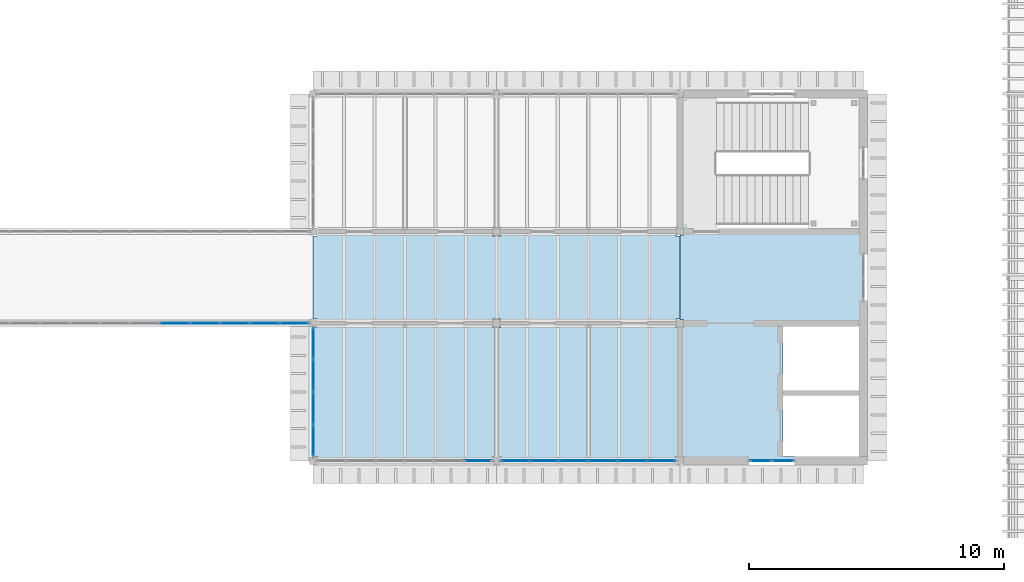
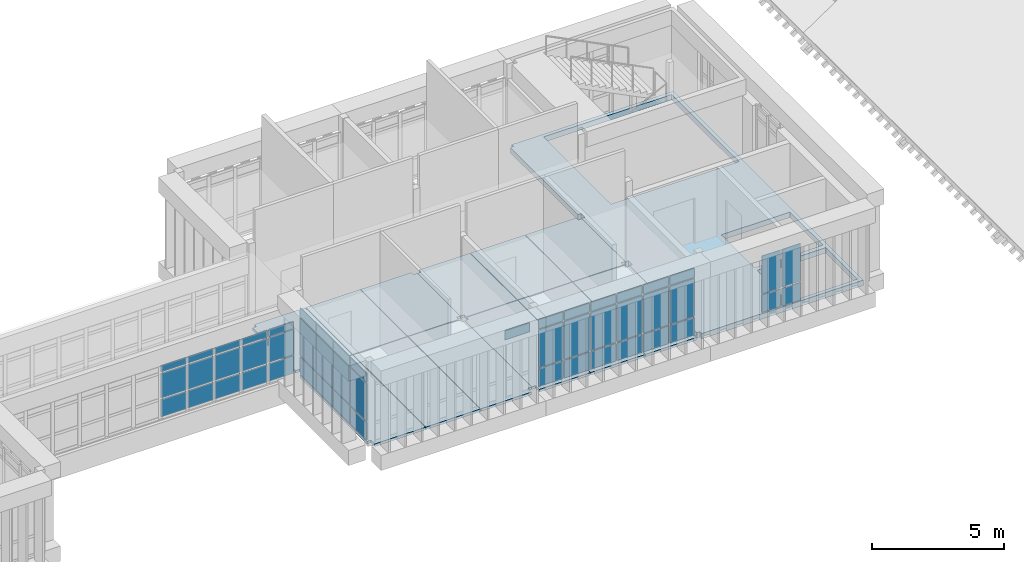
# One storey, part 26 of 51: 50 plates, 13 slabs, 5 elements without a shape of their own.
"""IFC4 building model written with IfcOpenShell, lengths in metres."""

from ifc_helpers import new_model, si_unit, direction, frame, origin, origin_2d, place, context, subcontext, project, spatial, polyline, rectangle, outline, extrude, material, layer, layer_set, type_object, element, aggregate, save


model = new_model("IFC4")

# Units and contexts
model_context = context("Model", 3, precision=1e-05, world=origin(), true_north=direction((0.0, 1.0)))
body_context = subcontext(model_context, "Body", "Model", "MODEL_VIEW")
ifc_project = project(units=[si_unit("LENGTHUNIT", "METRE"), si_unit("AREAUNIT", "SQUARE_METRE"), si_unit("VOLUMEUNIT", "CUBIC_METRE"), si_unit("PLANEANGLEUNIT", "RADIAN"), si_unit("MASSUNIT", "GRAM", prefix="KILO")], contexts=[model_context])

# Site, building, storey
site_placement = place(None, origin())
site = spatial("IfcSite", under=ifc_project, at=site_placement, CompositionType="ELEMENT")
building_placement = place(site_placement, origin())
building = spatial("IfcBuilding", under=site, at=building_placement, Name="Mazhai Court Health Centre", CompositionType="ELEMENT")
storey_placement = place(building_placement, frame((0.0, 0.0, 14.10009765625)))
storey = spatial("IfcBuildingStorey", under=building, at=storey_placement, Name="L03", CompositionType="ELEMENT", Elevation=14.10009765625)

# Slabs
ifc_material_1 = material(Name="CLT C24 5-ply", Category="wood")
ifc_layer_1 = layer(ifc_material_1, 0.1201171875)
ifc_layer_set_1 = layer_set([ifc_layer_1], Name="CLT C24 5-ply 120 floor panel")
slab_type_1 = type_object("IfcSlabType", Name="CLT C24 5-ply 120 floor panel", PredefinedType="FLOOR", material=ifc_layer_set_1)
slab_1_placement = place(storey_placement, frame((0.0, 0.0, -0.1201171875)))
element("IfcSlab", 1, at=slab_1_placement, inside=storey, type_object=slab_type_1, Name="slab-V4-L03-b5-A0", PredefinedType="FLOOR", context=body_context, shape_type="SweptSolid", body=[
    extrude(outline(polyline([(109.389892578125, 18.7900390625), (107.169921875, 18.7900390625), (107.169921875, 18.6298828125), (107.0, 18.6298828125), (107.0, 13.570068359375), (107.169921875, 13.570068359375), (107.169921875, 13.280029296875), (109.389892578125, 13.280029296875), (109.389892578125, 18.7900390625)])), origin(), (0.0, 0.0, 1.0), 0.1201171875),
])
slab_2_placement = place(storey_placement, frame((0.0, 0.0, -0.1201171875)))
element("IfcSlab", 2, at=slab_2_placement, inside=storey, type_object=slab_type_1, Name="slab-V4-L03-b5-A1", PredefinedType="FLOOR", context=body_context, shape_type="SweptSolid", body=[
    extrude(outline(polyline([(109.409912109375, 13.280029296875), (111.7900390625, 13.280029296875), (111.7900390625, 18.7900390625), (109.409912109375, 18.7900390625), (109.409912109375, 13.280029296875)])), origin(), (0.0, 0.0, 1.0), 0.1201171875),
])
slab_3_placement = place(storey_placement, frame((0.0, 0.0, -0.1201171875)))
element("IfcSlab", 3, at=slab_3_placement, inside=storey, type_object=slab_type_1, Name="slab-V4-L03-b5-A2", PredefinedType="FLOOR", context=body_context, shape_type="SweptSolid", body=[
    extrude(outline(polyline([(114.199951171875, 13.570068359375), (114.199951171875, 18.6298828125), (114.030029296875, 18.6298828125), (114.030029296875, 18.7900390625), (111.81005859375, 18.7900390625), (111.81005859375, 13.280029296875), (114.030029296875, 13.280029296875), (114.030029296875, 13.570068359375), (114.199951171875, 13.570068359375)])), origin(), (0.0, 0.0, 1.0), 0.1201171875),
])
slab_4_placement = place(storey_placement, frame((0.0, 0.0, -0.1201171875)))
element("IfcSlab", 4, at=slab_4_placement, inside=storey, type_object=slab_type_1, Name="slab-V4-L03-b5-C0", PredefinedType="FLOOR", context=body_context, shape_type="SweptSolid", body=[
    extrude(outline(polyline([(109.389892578125, 22.389892578125), (107.169921875, 22.389892578125), (107.169921875, 22.22998046875), (107.0, 22.22998046875), (107.0, 18.969970703125), (107.169921875, 18.969970703125), (107.169921875, 18.81005859375), (109.389892578125, 18.81005859375), (109.389892578125, 22.389892578125)])), origin(), (0.0, 0.0, 1.0), 0.1201171875),
])
slab_5_placement = place(storey_placement, frame((0.0, 0.0, -0.1201171875)))
element("IfcSlab", 5, at=slab_5_placement, inside=storey, type_object=slab_type_1, Name="slab-V4-L03-b5-C1", PredefinedType="FLOOR", context=body_context, shape_type="SweptSolid", body=[
    extrude(outline(polyline([(109.409912109375, 18.81005859375), (111.7900390625, 18.81005859375), (111.7900390625, 22.389892578125), (109.409912109375, 22.389892578125), (109.409912109375, 18.81005859375)])), origin(), (0.0, 0.0, 1.0), 0.1201171875),
])
slab_6_placement = place(storey_placement, frame((0.0, 0.0, -0.1201171875)))
element("IfcSlab", 6, at=slab_6_placement, inside=storey, type_object=slab_type_1, Name="slab-V4-L03-b5-C2", PredefinedType="FLOOR", context=body_context, shape_type="SweptSolid", body=[
    extrude(outline(polyline([(114.199951171875, 18.969970703125), (114.199951171875, 22.22998046875), (114.030029296875, 22.22998046875), (114.030029296875, 22.389892578125), (111.81005859375, 22.389892578125), (111.81005859375, 18.81005859375), (114.030029296875, 18.81005859375), (114.030029296875, 18.969970703125), (114.199951171875, 18.969970703125)])), origin(), (0.0, 0.0, 1.0), 0.1201171875),
])
slab_7_placement = place(storey_placement, frame((0.0, 0.0, -0.1201171875)))
element("IfcSlab", 7, at=slab_7_placement, inside=storey, type_object=slab_type_1, Name="slab-V4-L03-b6-A0", PredefinedType="FLOOR", context=body_context, shape_type="SweptSolid", body=[
    extrude(outline(polyline([(116.590087890625, 18.7900390625), (114.3701171875, 18.7900390625), (114.3701171875, 18.6298828125), (114.199951171875, 18.6298828125), (114.199951171875, 13.570068359375), (114.3701171875, 13.570068359375), (114.3701171875, 13.280029296875), (116.590087890625, 13.280029296875), (116.590087890625, 18.7900390625)])), origin(), (0.0, 0.0, 1.0), 0.1201171875),
])
slab_8_placement = place(storey_placement, frame((0.0, 0.0, -0.1201171875)))
element("IfcSlab", 8, at=slab_8_placement, inside=storey, type_object=slab_type_1, Name="slab-V4-L03-b6-A1", PredefinedType="FLOOR", context=body_context, shape_type="SweptSolid", body=[
    extrude(outline(polyline([(116.610107421875, 13.280029296875), (118.989990234375, 13.280029296875), (118.989990234375, 18.7900390625), (116.610107421875, 18.7900390625), (116.610107421875, 13.280029296875)])), origin(), (0.0, 0.0, 1.0), 0.1201171875),
])
slab_9_placement = place(storey_placement, frame((0.0, 0.0, -0.1201171875)))
element("IfcSlab", 9, at=slab_9_placement, inside=storey, type_object=slab_type_1, Name="slab-V4-L03-b6-A2", PredefinedType="FLOOR", context=body_context, shape_type="SweptSolid", body=[
    extrude(outline(polyline([(121.39990234375, 13.570068359375), (121.39990234375, 18.6298828125), (121.22998046875, 18.6298828125), (121.22998046875, 18.7900390625), (119.010009765625, 18.7900390625), (119.010009765625, 13.280029296875), (121.22998046875, 13.280029296875), (121.22998046875, 13.570068359375), (121.39990234375, 13.570068359375)])), origin(), (0.0, 0.0, 1.0), 0.1201171875),
])
slab_10_placement = place(storey_placement, frame((0.0, 0.0, -0.1201171875)))
element("IfcSlab", 10, at=slab_10_placement, inside=storey, type_object=slab_type_1, Name="slab-V4-L03-b6-C0", PredefinedType="FLOOR", context=body_context, shape_type="SweptSolid", body=[
    extrude(outline(polyline([(116.590087890625, 22.389892578125), (114.3701171875, 22.389892578125), (114.3701171875, 22.22998046875), (114.199951171875, 22.22998046875), (114.199951171875, 18.969970703125), (114.3701171875, 18.969970703125), (114.3701171875, 18.81005859375), (116.590087890625, 18.81005859375), (116.590087890625, 22.389892578125)])), origin(), (0.0, 0.0, 1.0), 0.1201171875),
])
slab_11_placement = place(storey_placement, frame((0.0, 0.0, -0.1201171875)))
element("IfcSlab", 11, at=slab_11_placement, inside=storey, type_object=slab_type_1, Name="slab-V4-L03-b6-C1", PredefinedType="FLOOR", context=body_context, shape_type="SweptSolid", body=[
    extrude(outline(polyline([(116.610107421875, 18.81005859375), (118.989990234375, 18.81005859375), (118.989990234375, 22.389892578125), (116.610107421875, 22.389892578125), (116.610107421875, 18.81005859375)])), origin(), (0.0, 0.0, 1.0), 0.1201171875),
])
slab_12_placement = place(storey_placement, frame((0.0, 0.0, -0.1201171875)))
element("IfcSlab", 12, at=slab_12_placement, inside=storey, type_object=slab_type_1, Name="slab-V4-L03-b6-C2", PredefinedType="FLOOR", context=body_context, shape_type="SweptSolid", body=[
    extrude(outline(polyline([(121.39990234375, 18.969970703125), (121.39990234375, 22.22998046875), (121.22998046875, 22.22998046875), (121.22998046875, 22.389892578125), (119.010009765625, 22.389892578125), (119.010009765625, 18.81005859375), (121.22998046875, 18.81005859375), (121.22998046875, 18.969970703125), (121.39990234375, 18.969970703125)])), origin(), (0.0, 0.0, 1.0), 0.1201171875),
])

# Curtain wall, plates
ifc_material_2 = material(Name="Teak timber frame, glazed", Category="wood")
ifc_layer_2 = layer(ifc_material_2, 0.10009765625)
ifc_layer_set_2 = layer_set([ifc_layer_2], Name="CURTAIN WALL TIMBER 900")
curtain_wall_type_1 = type_object("IfcCurtainWallType", Name="CURTAIN WALL TIMBER 900", PredefinedType="NOTDEFINED", material=ifc_layer_set_2)
curtain_wall_1_placement = place(storey_placement, origin())
curtain_wall_1 = element("IfcCurtainWall", 13, at=curtain_wall_1_placement, inside=storey, type_object=curtain_wall_type_1, Name="CW-V4-L03-A7", PredefinedType="NOTDEFINED")
ifc_material_3 = material(Name="Glass IGU 28 mm", Category="glass")
ifc_layer_3 = layer(ifc_material_3, 0.028076171875)
ifc_layer_set_3 = layer_set([ifc_layer_3], Name="CW PANEL IGU 28")
plate_type = type_object("IfcPlateType", Name="CW PANEL IGU 28", PredefinedType="CURTAIN_PANEL", material=ifc_layer_set_3)
plate_1_placement = place(storey_placement, frame((125.43505859375, 13.39990234375, 0.059814453125), z_axis=(0.0, 0.0, 1.0), x_axis=(-1.0, 0.0, 0.0)))
plate_1 = element("IfcPlate", 14, at=plate_1_placement, type_object=plate_type, Name="CW panel 1.1", PredefinedType="CURTAIN_PANEL", context=body_context, shape_type="SweptSolid", body=[
    extrude(rectangle(XDim=0.81005859375, YDim=0.028076171875, at=origin_2d()), origin(), (0.0, 0.0, 1.0), 0.81005859375),
])
plate_2_placement = place(storey_placement, frame((125.43505859375, 13.39990234375, 0.9296875), z_axis=(0.0, 0.0, 1.0), x_axis=(-1.0, 0.0, 0.0)))
plate_2 = element("IfcPlate", 15, at=plate_2_placement, type_object=plate_type, Name="CW panel 1.2", PredefinedType="CURTAIN_PANEL", context=body_context, shape_type="SweptSolid", body=[
    extrude(rectangle(XDim=0.81005859375, YDim=0.028076171875, at=origin_2d()), origin(), (0.0, 0.0, 1.0), 1.739990234375),
])
plate_3_placement = place(storey_placement, frame((124.56494140625, 13.39990234375, 0.059814453125), z_axis=(0.0, 0.0, 1.0), x_axis=(-1.0, 0.0, 0.0)))
plate_3 = element("IfcPlate", 16, at=plate_3_placement, type_object=plate_type, Name="CW panel 2.1", PredefinedType="CURTAIN_PANEL", context=body_context, shape_type="SweptSolid", body=[
    extrude(rectangle(XDim=0.81005859375, YDim=0.028076171875, at=origin_2d()), origin(), (0.0, 0.0, 1.0), 0.81005859375),
])
plate_4_placement = place(storey_placement, frame((124.56494140625, 13.39990234375, 0.9296875), z_axis=(0.0, 0.0, 1.0), x_axis=(-1.0, 0.0, 0.0)))
plate_4 = element("IfcPlate", 17, at=plate_4_placement, type_object=plate_type, Name="CW panel 2.2", PredefinedType="CURTAIN_PANEL", context=body_context, shape_type="SweptSolid", body=[
    extrude(rectangle(XDim=0.81005859375, YDim=0.028076171875, at=origin_2d()), origin(), (0.0, 0.0, 1.0), 1.739990234375),
])
aggregate(curtain_wall_1, [plate_1, plate_2, plate_3, plate_4])

# Curtain wall, plate
ifc_material_4 = material(Name="Teak timber frame, glazed", Category="wood")
ifc_layer_4 = layer(ifc_material_4, 0.10009765625)
ifc_layer_set_4 = layer_set([ifc_layer_4], Name="CURTAIN WALL TIMBER 1200")
curtain_wall_type_2 = type_object("IfcCurtainWallType", Name="CURTAIN WALL TIMBER 1200", PredefinedType="NOTDEFINED", material=ifc_layer_set_4)
curtain_wall_2_placement = place(storey_placement, origin())
curtain_wall_2 = element("IfcCurtainWall", 18, at=curtain_wall_2_placement, inside=storey, type_object=curtain_wall_type_2, Name="CW-V4-L03-A5", PredefinedType="NOTDEFINED")
plate_5_placement = place(storey_placement, frame((113.46826171875, 13.39990234375, 2.72998046875), z_axis=(0.0, 0.0, 1.0), x_axis=(-1.0, 0.0, 0.0)))
plate_5 = element("IfcPlate", 19, at=plate_5_placement, type_object=plate_type, Name="CW panel 1.3", PredefinedType="CURTAIN_PANEL", context=body_context, shape_type="SweptSolid", body=[
    extrude(rectangle(XDim=1.063232421875, YDim=0.028076171875, at=origin_2d()), origin(), (0.0, 0.0, 1.0), 0.409912109375),
])
aggregate(curtain_wall_2, [plate_5])

# Curtain wall, plates
curtain_wall_3_placement = place(storey_placement, origin())
curtain_wall_3 = element("IfcCurtainWall", 20, at=curtain_wall_3_placement, inside=storey, type_object=curtain_wall_type_2, Name="CW-V4-L03-A6", PredefinedType="NOTDEFINED")
plate_6_placement = place(storey_placement, frame((120.668212890625, 13.39990234375, 0.059814453125), z_axis=(0.0, 0.0, 1.0), x_axis=(-1.0, 0.0, 0.0)))
plate_6 = element("IfcPlate", 21, at=plate_6_placement, type_object=plate_type, Name="CW panel 1.1", PredefinedType="CURTAIN_PANEL", context=body_context, shape_type="SweptSolid", body=[
    extrude(rectangle(XDim=1.063232421875, YDim=0.028076171875, at=origin_2d()), origin(), (0.0, 0.0, 1.0), 0.81005859375),
])
plate_7_placement = place(storey_placement, frame((120.668212890625, 13.39990234375, 0.9296875), z_axis=(0.0, 0.0, 1.0), x_axis=(-1.0, 0.0, 0.0)))
plate_7 = element("IfcPlate", 22, at=plate_7_placement, type_object=plate_type, Name="CW panel 1.2", PredefinedType="CURTAIN_PANEL", context=body_context, shape_type="SweptSolid", body=[
    extrude(rectangle(XDim=1.063232421875, YDim=0.028076171875, at=origin_2d()), origin(), (0.0, 0.0, 1.0), 1.739990234375),
])
plate_8_placement = place(storey_placement, frame((120.668212890625, 13.39990234375, 2.72998046875), z_axis=(0.0, 0.0, 1.0), x_axis=(-1.0, 0.0, 0.0)))
plate_8 = element("IfcPlate", 23, at=plate_8_placement, type_object=plate_type, Name="CW panel 1.3", PredefinedType="CURTAIN_PANEL", context=body_context, shape_type="SweptSolid", body=[
    extrude(rectangle(XDim=1.063232421875, YDim=0.028076171875, at=origin_2d()), origin(), (0.0, 0.0, 1.0), 0.409912109375),
])
plate_9_placement = place(storey_placement, frame((119.530029296875, 13.39990234375, 0.059814453125), z_axis=(0.0, 0.0, 1.0), x_axis=(-1.0, 0.0, 0.0)))
plate_9 = element("IfcPlate", 24, at=plate_9_placement, type_object=plate_type, Name="CW panel 2.1", PredefinedType="CURTAIN_PANEL", context=body_context, shape_type="SweptSolid", body=[
    extrude(rectangle(XDim=1.09326171875, YDim=0.028076171875, at=origin_2d()), origin(), (0.0, 0.0, 1.0), 0.81005859375),
])
plate_10_placement = place(storey_placement, frame((119.530029296875, 13.39990234375, 0.9296875), z_axis=(0.0, 0.0, 1.0), x_axis=(-1.0, 0.0, 0.0)))
plate_10 = element("IfcPlate", 25, at=plate_10_placement, type_object=plate_type, Name="CW panel 2.2", PredefinedType="CURTAIN_PANEL", context=body_context, shape_type="SweptSolid", body=[
    extrude(rectangle(XDim=1.09326171875, YDim=0.028076171875, at=origin_2d()), origin(), (0.0, 0.0, 1.0), 1.739990234375),
])
plate_11_placement = place(storey_placement, frame((119.530029296875, 13.39990234375, 2.72998046875), z_axis=(0.0, 0.0, 1.0), x_axis=(-1.0, 0.0, 0.0)))
plate_11 = element("IfcPlate", 26, at=plate_11_placement, type_object=plate_type, Name="CW panel 2.3", PredefinedType="CURTAIN_PANEL", context=body_context, shape_type="SweptSolid", body=[
    extrude(rectangle(XDim=1.09326171875, YDim=0.028076171875, at=origin_2d()), origin(), (0.0, 0.0, 1.0), 0.409912109375),
])
plate_12_placement = place(storey_placement, frame((118.376708984375, 13.39990234375, 0.059814453125), z_axis=(0.0, 0.0, 1.0), x_axis=(-1.0, 0.0, 0.0)))
plate_12 = element("IfcPlate", 27, at=plate_12_placement, type_object=plate_type, Name="CW panel 3.1", PredefinedType="CURTAIN_PANEL", context=body_context, shape_type="SweptSolid", body=[
    extrude(rectangle(XDim=1.09326171875, YDim=0.028076171875, at=origin_2d()), origin(), (0.0, 0.0, 1.0), 0.81005859375),
])
plate_13_placement = place(storey_placement, frame((118.376708984375, 13.39990234375, 0.9296875), z_axis=(0.0, 0.0, 1.0), x_axis=(-1.0, 0.0, 0.0)))
plate_13 = element("IfcPlate", 28, at=plate_13_placement, type_object=plate_type, Name="CW panel 3.2", PredefinedType="CURTAIN_PANEL", context=body_context, shape_type="SweptSolid", body=[
    extrude(rectangle(XDim=1.09326171875, YDim=0.028076171875, at=origin_2d()), origin(), (0.0, 0.0, 1.0), 1.739990234375),
])
plate_14_placement = place(storey_placement, frame((118.376708984375, 13.39990234375, 2.72998046875), z_axis=(0.0, 0.0, 1.0), x_axis=(-1.0, 0.0, 0.0)))
plate_14 = element("IfcPlate", 29, at=plate_14_placement, type_object=plate_type, Name="CW panel 3.3", PredefinedType="CURTAIN_PANEL", context=body_context, shape_type="SweptSolid", body=[
    extrude(rectangle(XDim=1.09326171875, YDim=0.028076171875, at=origin_2d()), origin(), (0.0, 0.0, 1.0), 0.409912109375),
])
plate_15_placement = place(storey_placement, frame((117.223388671875, 13.39990234375, 0.059814453125), z_axis=(0.0, 0.0, 1.0), x_axis=(-1.0, 0.0, 0.0)))
plate_15 = element("IfcPlate", 30, at=plate_15_placement, type_object=plate_type, Name="CW panel 4.1", PredefinedType="CURTAIN_PANEL", context=body_context, shape_type="SweptSolid", body=[
    extrude(rectangle(XDim=1.09326171875, YDim=0.028076171875, at=origin_2d()), origin(), (0.0, 0.0, 1.0), 0.81005859375),
])
plate_16_placement = place(storey_placement, frame((117.223388671875, 13.39990234375, 0.9296875), z_axis=(0.0, 0.0, 1.0), x_axis=(-1.0, 0.0, 0.0)))
plate_16 = element("IfcPlate", 31, at=plate_16_placement, type_object=plate_type, Name="CW panel 4.2", PredefinedType="CURTAIN_PANEL", context=body_context, shape_type="SweptSolid", body=[
    extrude(rectangle(XDim=1.09326171875, YDim=0.028076171875, at=origin_2d()), origin(), (0.0, 0.0, 1.0), 1.739990234375),
])
plate_17_placement = place(storey_placement, frame((117.223388671875, 13.39990234375, 2.72998046875), z_axis=(0.0, 0.0, 1.0), x_axis=(-1.0, 0.0, 0.0)))
plate_17 = element("IfcPlate", 32, at=plate_17_placement, type_object=plate_type, Name="CW panel 4.3", PredefinedType="CURTAIN_PANEL", context=body_context, shape_type="SweptSolid", body=[
    extrude(rectangle(XDim=1.09326171875, YDim=0.028076171875, at=origin_2d()), origin(), (0.0, 0.0, 1.0), 0.409912109375),
])
plate_18_placement = place(storey_placement, frame((116.070068359375, 13.39990234375, 0.059814453125), z_axis=(0.0, 0.0, 1.0), x_axis=(-1.0, 0.0, 0.0)))
plate_18 = element("IfcPlate", 33, at=plate_18_placement, type_object=plate_type, Name="CW panel 5.1", PredefinedType="CURTAIN_PANEL", context=body_context, shape_type="SweptSolid", body=[
    extrude(rectangle(XDim=1.09326171875, YDim=0.028076171875, at=origin_2d()), origin(), (0.0, 0.0, 1.0), 0.81005859375),
])
plate_19_placement = place(storey_placement, frame((116.070068359375, 13.39990234375, 0.9296875), z_axis=(0.0, 0.0, 1.0), x_axis=(-1.0, 0.0, 0.0)))
plate_19 = element("IfcPlate", 34, at=plate_19_placement, type_object=plate_type, Name="CW panel 5.2", PredefinedType="CURTAIN_PANEL", context=body_context, shape_type="SweptSolid", body=[
    extrude(rectangle(XDim=1.09326171875, YDim=0.028076171875, at=origin_2d()), origin(), (0.0, 0.0, 1.0), 1.739990234375),
])
plate_20_placement = place(storey_placement, frame((116.070068359375, 13.39990234375, 2.72998046875), z_axis=(0.0, 0.0, 1.0), x_axis=(-1.0, 0.0, 0.0)))
plate_20 = element("IfcPlate", 35, at=plate_20_placement, type_object=plate_type, Name="CW panel 5.3", PredefinedType="CURTAIN_PANEL", context=body_context, shape_type="SweptSolid", body=[
    extrude(rectangle(XDim=1.09326171875, YDim=0.028076171875, at=origin_2d()), origin(), (0.0, 0.0, 1.0), 0.409912109375),
])
plate_21_placement = place(storey_placement, frame((114.931640625, 13.39990234375, 0.059814453125), z_axis=(0.0, 0.0, 1.0), x_axis=(-1.0, 0.0, 0.0)))
plate_21 = element("IfcPlate", 36, at=plate_21_placement, type_object=plate_type, Name="CW panel 6.1", PredefinedType="CURTAIN_PANEL", context=body_context, shape_type="SweptSolid", body=[
    extrude(rectangle(XDim=1.063232421875, YDim=0.028076171875, at=origin_2d()), origin(), (0.0, 0.0, 1.0), 0.81005859375),
])
plate_22_placement = place(storey_placement, frame((114.931640625, 13.39990234375, 0.9296875), z_axis=(0.0, 0.0, 1.0), x_axis=(-1.0, 0.0, 0.0)))
plate_22 = element("IfcPlate", 37, at=plate_22_placement, type_object=plate_type, Name="CW panel 6.2", PredefinedType="CURTAIN_PANEL", context=body_context, shape_type="SweptSolid", body=[
    extrude(rectangle(XDim=1.063232421875, YDim=0.028076171875, at=origin_2d()), origin(), (0.0, 0.0, 1.0), 1.739990234375),
])
plate_23_placement = place(storey_placement, frame((114.931640625, 13.39990234375, 2.72998046875), z_axis=(0.0, 0.0, 1.0), x_axis=(-1.0, 0.0, 0.0)))
plate_23 = element("IfcPlate", 38, at=plate_23_placement, type_object=plate_type, Name="CW panel 6.3", PredefinedType="CURTAIN_PANEL", context=body_context, shape_type="SweptSolid", body=[
    extrude(rectangle(XDim=1.063232421875, YDim=0.028076171875, at=origin_2d()), origin(), (0.0, 0.0, 1.0), 0.409912109375),
])
aggregate(curtain_wall_3, [plate_6, plate_7, plate_8, plate_9, plate_10, plate_11, plate_12, plate_13, plate_14, plate_15, plate_16, plate_17, plate_18, plate_19, plate_20, plate_21, plate_22, plate_23])

curtain_wall_4_placement = place(storey_placement, origin())
curtain_wall_4 = element("IfcCurtainWall", 39, at=curtain_wall_4_placement, inside=storey, type_object=curtain_wall_type_2, Name="CW-V4-L03-CW5-0", PredefinedType="NOTDEFINED")
plate_24_placement = place(storey_placement, frame((107.0, 14.195068359375, 0.059814453125), z_axis=(0.0, 0.0, 1.0), x_axis=(0.0, 1.0, 0.0)))
plate_24 = element("IfcPlate", 40, at=plate_24_placement, type_object=plate_type, Name="CW panel 1.1", PredefinedType="CURTAIN_PANEL", context=body_context, shape_type="SweptSolid", body=[
    extrude(rectangle(XDim=1.18994140625, YDim=0.028076171875, at=origin_2d()), origin(), (0.0, 0.0, 1.0), 0.81005859375),
])
plate_25_placement = place(storey_placement, frame((107.0, 14.195068359375, 0.9296875), z_axis=(0.0, 0.0, 1.0), x_axis=(0.0, 1.0, 0.0)))
plate_25 = element("IfcPlate", 41, at=plate_25_placement, type_object=plate_type, Name="CW panel 1.2", PredefinedType="CURTAIN_PANEL", context=body_context, shape_type="SweptSolid", body=[
    extrude(rectangle(XDim=1.18994140625, YDim=0.028076171875, at=origin_2d()), origin(), (0.0, 0.0, 1.0), 1.739990234375),
])
plate_26_placement = place(storey_placement, frame((107.0, 14.195068359375, 2.72998046875), z_axis=(0.0, 0.0, 1.0), x_axis=(0.0, 1.0, 0.0)))
plate_26 = element("IfcPlate", 42, at=plate_26_placement, type_object=plate_type, Name="CW panel 1.3", PredefinedType="CURTAIN_PANEL", context=body_context, shape_type="SweptSolid", body=[
    extrude(rectangle(XDim=1.18994140625, YDim=0.028076171875, at=origin_2d()), origin(), (0.0, 0.0, 1.0), 0.409912109375),
])
plate_27_placement = place(storey_placement, frame((107.0, 15.4599609375, 0.059814453125), z_axis=(0.0, 0.0, 1.0), x_axis=(0.0, 1.0, 0.0)))
plate_27 = element("IfcPlate", 43, at=plate_27_placement, type_object=plate_type, Name="CW panel 2.1", PredefinedType="CURTAIN_PANEL", context=body_context, shape_type="SweptSolid", body=[
    extrude(rectangle(XDim=1.219970703125, YDim=0.028076171875, at=origin_2d()), origin(), (0.0, 0.0, 1.0), 0.81005859375),
])
plate_28_placement = place(storey_placement, frame((107.0, 15.4599609375, 0.9296875), z_axis=(0.0, 0.0, 1.0), x_axis=(0.0, 1.0, 0.0)))
plate_28 = element("IfcPlate", 44, at=plate_28_placement, type_object=plate_type, Name="CW panel 2.2", PredefinedType="CURTAIN_PANEL", context=body_context, shape_type="SweptSolid", body=[
    extrude(rectangle(XDim=1.219970703125, YDim=0.028076171875, at=origin_2d()), origin(), (0.0, 0.0, 1.0), 1.739990234375),
])
plate_29_placement = place(storey_placement, frame((107.0, 15.4599609375, 2.72998046875), z_axis=(0.0, 0.0, 1.0), x_axis=(0.0, 1.0, 0.0)))
plate_29 = element("IfcPlate", 45, at=plate_29_placement, type_object=plate_type, Name="CW panel 2.3", PredefinedType="CURTAIN_PANEL", context=body_context, shape_type="SweptSolid", body=[
    extrude(rectangle(XDim=1.219970703125, YDim=0.028076171875, at=origin_2d()), origin(), (0.0, 0.0, 1.0), 0.409912109375),
])
plate_30_placement = place(storey_placement, frame((107.0, 16.739990234375, 0.059814453125), z_axis=(0.0, 0.0, 1.0), x_axis=(0.0, 1.0, 0.0)))
plate_30 = element("IfcPlate", 46, at=plate_30_placement, type_object=plate_type, Name="CW panel 3.1", PredefinedType="CURTAIN_PANEL", context=body_context, shape_type="SweptSolid", body=[
    extrude(rectangle(XDim=1.219970703125, YDim=0.028076171875, at=origin_2d()), origin(), (0.0, 0.0, 1.0), 0.81005859375),
])
plate_31_placement = place(storey_placement, frame((107.0, 16.739990234375, 0.9296875), z_axis=(0.0, 0.0, 1.0), x_axis=(0.0, 1.0, 0.0)))
plate_31 = element("IfcPlate", 47, at=plate_31_placement, type_object=plate_type, Name="CW panel 3.2", PredefinedType="CURTAIN_PANEL", context=body_context, shape_type="SweptSolid", body=[
    extrude(rectangle(XDim=1.219970703125, YDim=0.028076171875, at=origin_2d()), origin(), (0.0, 0.0, 1.0), 1.739990234375),
])
plate_32_placement = place(storey_placement, frame((107.0, 16.739990234375, 2.72998046875), z_axis=(0.0, 0.0, 1.0), x_axis=(0.0, 1.0, 0.0)))
plate_32 = element("IfcPlate", 48, at=plate_32_placement, type_object=plate_type, Name="CW panel 3.3", PredefinedType="CURTAIN_PANEL", context=body_context, shape_type="SweptSolid", body=[
    extrude(rectangle(XDim=1.219970703125, YDim=0.028076171875, at=origin_2d()), origin(), (0.0, 0.0, 1.0), 0.409912109375),
])
plate_33_placement = place(storey_placement, frame((107.0, 18.0048828125, 0.059814453125), z_axis=(0.0, 0.0, 1.0), x_axis=(0.0, 1.0, 0.0)))
plate_33 = element("IfcPlate", 49, at=plate_33_placement, type_object=plate_type, Name="CW panel 4.1", PredefinedType="CURTAIN_PANEL", context=body_context, shape_type="SweptSolid", body=[
    extrude(rectangle(XDim=1.18994140625, YDim=0.028076171875, at=origin_2d()), origin(), (0.0, 0.0, 1.0), 0.81005859375),
])
plate_34_placement = place(storey_placement, frame((107.0, 18.0048828125, 0.9296875), z_axis=(0.0, 0.0, 1.0), x_axis=(0.0, 1.0, 0.0)))
plate_34 = element("IfcPlate", 50, at=plate_34_placement, type_object=plate_type, Name="CW panel 4.2", PredefinedType="CURTAIN_PANEL", context=body_context, shape_type="SweptSolid", body=[
    extrude(rectangle(XDim=1.18994140625, YDim=0.028076171875, at=origin_2d()), origin(), (0.0, 0.0, 1.0), 1.739990234375),
])
plate_35_placement = place(storey_placement, frame((107.0, 18.0048828125, 2.72998046875), z_axis=(0.0, 0.0, 1.0), x_axis=(0.0, 1.0, 0.0)))
plate_35 = element("IfcPlate", 51, at=plate_35_placement, type_object=plate_type, Name="CW panel 4.3", PredefinedType="CURTAIN_PANEL", context=body_context, shape_type="SweptSolid", body=[
    extrude(rectangle(XDim=1.18994140625, YDim=0.028076171875, at=origin_2d()), origin(), (0.0, 0.0, 1.0), 0.409912109375),
])
aggregate(curtain_wall_4, [plate_24, plate_25, plate_26, plate_27, plate_28, plate_29, plate_30, plate_31, plate_32, plate_33, plate_34, plate_35])

curtain_wall_5_placement = place(storey_placement, origin())
curtain_wall_5 = element("IfcCurtainWall", 52, at=curtain_wall_5_placement, inside=storey, type_object=curtain_wall_type_2, Name="CW-BR-LC3-S", PredefinedType="NOTDEFINED")
plate_36_placement = place(storey_placement, frame((101.56494140625, 18.800048828125, 0.059814453125), z_axis=(0.0, 0.0, 1.0), x_axis=(1.0, 0.0, 0.0)))
plate_36 = element("IfcPlate", 53, at=plate_36_placement, type_object=plate_type, Name="CW panel 8.1", PredefinedType="CURTAIN_PANEL", context=body_context, shape_type="SweptSolid", body=[
    extrude(rectangle(XDim=1.11669921875, YDim=0.028076171875, at=origin_2d()), origin(), (0.0, 0.0, 1.0), 0.81005859375),
])
plate_37_placement = place(storey_placement, frame((101.56494140625, 18.800048828125, 0.929931640625), z_axis=(0.0, 0.0, 1.0), x_axis=(1.0, 0.0, 0.0)))
plate_37 = element("IfcPlate", 54, at=plate_37_placement, type_object=plate_type, Name="CW panel 8.2", PredefinedType="CURTAIN_PANEL", context=body_context, shape_type="SweptSolid", body=[
    extrude(rectangle(XDim=1.11669921875, YDim=0.028076171875, at=origin_2d()), origin(), (0.0, 0.0, 1.0), 1.14501953125),
])
plate_38_placement = place(storey_placement, frame((101.56494140625, 18.800048828125, 2.134765625), z_axis=(0.0, 0.0, 1.0), x_axis=(1.0, 0.0, 0.0)))
plate_38 = element("IfcPlate", 55, at=plate_38_placement, type_object=plate_type, Name="CW panel 8.3", PredefinedType="CURTAIN_PANEL", context=body_context, shape_type="SweptSolid", body=[
    extrude(rectangle(XDim=1.11669921875, YDim=0.028076171875, at=origin_2d()), origin(), (0.0, 0.0, 1.0), 0.31005859375),
])
plate_39_placement = place(storey_placement, frame((102.74169921875, 18.800048828125, 0.059814453125), z_axis=(0.0, 0.0, 1.0), x_axis=(1.0, 0.0, 0.0)))
plate_39 = element("IfcPlate", 56, at=plate_39_placement, type_object=plate_type, Name="CW panel 9.1", PredefinedType="CURTAIN_PANEL", context=body_context, shape_type="SweptSolid", body=[
    extrude(rectangle(XDim=1.11669921875, YDim=0.028076171875, at=origin_2d()), origin(), (0.0, 0.0, 1.0), 0.81005859375),
])
plate_40_placement = place(storey_placement, frame((102.74169921875, 18.800048828125, 0.929931640625), z_axis=(0.0, 0.0, 1.0), x_axis=(1.0, 0.0, 0.0)))
plate_40 = element("IfcPlate", 57, at=plate_40_placement, type_object=plate_type, Name="CW panel 9.2", PredefinedType="CURTAIN_PANEL", context=body_context, shape_type="SweptSolid", body=[
    extrude(rectangle(XDim=1.11669921875, YDim=0.028076171875, at=origin_2d()), origin(), (0.0, 0.0, 1.0), 1.14501953125),
])
plate_41_placement = place(storey_placement, frame((102.74169921875, 18.800048828125, 2.134765625), z_axis=(0.0, 0.0, 1.0), x_axis=(1.0, 0.0, 0.0)))
plate_41 = element("IfcPlate", 58, at=plate_41_placement, type_object=plate_type, Name="CW panel 9.3", PredefinedType="CURTAIN_PANEL", context=body_context, shape_type="SweptSolid", body=[
    extrude(rectangle(XDim=1.11669921875, YDim=0.028076171875, at=origin_2d()), origin(), (0.0, 0.0, 1.0), 0.31005859375),
])
plate_42_placement = place(storey_placement, frame((103.918212890625, 18.800048828125, 0.059814453125), z_axis=(0.0, 0.0, 1.0), x_axis=(1.0, 0.0, 0.0)))
plate_42 = element("IfcPlate", 59, at=plate_42_placement, type_object=plate_type, Name="CW panel 10.1", PredefinedType="CURTAIN_PANEL", context=body_context, shape_type="SweptSolid", body=[
    extrude(rectangle(XDim=1.11669921875, YDim=0.028076171875, at=origin_2d()), origin(), (0.0, 0.0, 1.0), 0.81005859375),
])
plate_43_placement = place(storey_placement, frame((103.918212890625, 18.800048828125, 0.929931640625), z_axis=(0.0, 0.0, 1.0), x_axis=(1.0, 0.0, 0.0)))
plate_43 = element("IfcPlate", 60, at=plate_43_placement, type_object=plate_type, Name="CW panel 10.2", PredefinedType="CURTAIN_PANEL", context=body_context, shape_type="SweptSolid", body=[
    extrude(rectangle(XDim=1.11669921875, YDim=0.028076171875, at=origin_2d()), origin(), (0.0, 0.0, 1.0), 1.14501953125),
])
plate_44_placement = place(storey_placement, frame((103.918212890625, 18.800048828125, 2.134765625), z_axis=(0.0, 0.0, 1.0), x_axis=(1.0, 0.0, 0.0)))
plate_44 = element("IfcPlate", 61, at=plate_44_placement, type_object=plate_type, Name="CW panel 10.3", PredefinedType="CURTAIN_PANEL", context=body_context, shape_type="SweptSolid", body=[
    extrude(rectangle(XDim=1.11669921875, YDim=0.028076171875, at=origin_2d()), origin(), (0.0, 0.0, 1.0), 0.31005859375),
])
plate_45_placement = place(storey_placement, frame((105.094970703125, 18.800048828125, 0.059814453125), z_axis=(0.0, 0.0, 1.0), x_axis=(1.0, 0.0, 0.0)))
plate_45 = element("IfcPlate", 62, at=plate_45_placement, type_object=plate_type, Name="CW panel 11.1", PredefinedType="CURTAIN_PANEL", context=body_context, shape_type="SweptSolid", body=[
    extrude(rectangle(XDim=1.11669921875, YDim=0.028076171875, at=origin_2d()), origin(), (0.0, 0.0, 1.0), 0.81005859375),
])
plate_46_placement = place(storey_placement, frame((105.094970703125, 18.800048828125, 0.929931640625), z_axis=(0.0, 0.0, 1.0), x_axis=(1.0, 0.0, 0.0)))
plate_46 = element("IfcPlate", 63, at=plate_46_placement, type_object=plate_type, Name="CW panel 11.2", PredefinedType="CURTAIN_PANEL", context=body_context, shape_type="SweptSolid", body=[
    extrude(rectangle(XDim=1.11669921875, YDim=0.028076171875, at=origin_2d()), origin(), (0.0, 0.0, 1.0), 1.14501953125),
])
plate_47_placement = place(storey_placement, frame((105.094970703125, 18.800048828125, 2.134765625), z_axis=(0.0, 0.0, 1.0), x_axis=(1.0, 0.0, 0.0)))
plate_47 = element("IfcPlate", 64, at=plate_47_placement, type_object=plate_type, Name="CW panel 11.3", PredefinedType="CURTAIN_PANEL", context=body_context, shape_type="SweptSolid", body=[
    extrude(rectangle(XDim=1.11669921875, YDim=0.028076171875, at=origin_2d()), origin(), (0.0, 0.0, 1.0), 0.31005859375),
])
plate_48_placement = place(storey_placement, frame((106.256591796875, 18.800048828125, 0.059814453125), z_axis=(0.0, 0.0, 1.0), x_axis=(1.0, 0.0, 0.0)))
plate_48 = element("IfcPlate", 65, at=plate_48_placement, type_object=plate_type, Name="CW panel 12.1", PredefinedType="CURTAIN_PANEL", context=body_context, shape_type="SweptSolid", body=[
    extrude(rectangle(XDim=1.086669921875, YDim=0.028076171875, at=origin_2d()), origin(), (0.0, 0.0, 1.0), 0.81005859375),
])
plate_49_placement = place(storey_placement, frame((106.256591796875, 18.800048828125, 0.929931640625), z_axis=(0.0, 0.0, 1.0), x_axis=(1.0, 0.0, 0.0)))
plate_49 = element("IfcPlate", 66, at=plate_49_placement, type_object=plate_type, Name="CW panel 12.2", PredefinedType="CURTAIN_PANEL", context=body_context, shape_type="SweptSolid", body=[
    extrude(rectangle(XDim=1.086669921875, YDim=0.028076171875, at=origin_2d()), origin(), (0.0, 0.0, 1.0), 1.14501953125),
])
plate_50_placement = place(storey_placement, frame((106.256591796875, 18.800048828125, 2.134765625), z_axis=(0.0, 0.0, 1.0), x_axis=(1.0, 0.0, 0.0)))
plate_50 = element("IfcPlate", 67, at=plate_50_placement, type_object=plate_type, Name="CW panel 12.3", PredefinedType="CURTAIN_PANEL", context=body_context, shape_type="SweptSolid", body=[
    extrude(rectangle(XDim=1.086669921875, YDim=0.028076171875, at=origin_2d()), origin(), (0.0, 0.0, 1.0), 0.31005859375),
])
aggregate(curtain_wall_5, [plate_36, plate_37, plate_38, plate_39, plate_40, plate_41, plate_42, plate_43, plate_44, plate_45, plate_46, plate_47, plate_48, plate_49, plate_50])

# Slab
ifc_material_5 = material(Name="Concrete M40", Category="concrete")
ifc_layer_5 = layer(ifc_material_5, 0.25)
ifc_layer_set_5 = layer_set([ifc_layer_5], Name="RC CORE FLOOR 250 M40")
slab_type_2 = type_object("IfcSlabType", Name="RC CORE FLOOR 250 M40", PredefinedType="FLOOR", material=ifc_layer_set_5)
slab_13_placement = place(storey_placement, frame((0.0, 0.0, -0.25)))
element("IfcSlab", 68, at=slab_13_placement, inside=storey, type_object=slab_type_2, Name="core-C7-floor-L03", PredefinedType="FLOOR", context=body_context, shape_type="SweptSolid", body=[
    extrude(outline(polyline([(121.5400390625, 13.39990234375), (121.5400390625, 13.5400390625), (121.39990234375, 13.5400390625), (121.39990234375, 18.659912109375), (121.5400390625, 18.659912109375), (121.5400390625, 18.93994140625), (121.39990234375, 18.93994140625), (121.39990234375, 22.260009765625), (121.5400390625, 22.260009765625), (121.5400390625, 22.5400390625), (121.39990234375, 22.5400390625), (121.39990234375, 27.659912109375), (121.5400390625, 27.659912109375), (121.5400390625, 27.800048828125), (128.60009765625, 27.800048828125), (128.60009765625, 13.39990234375), (121.5400390625, 13.39990234375)]), holes=[polyline([(125.43505859375, 15.965087890625), (125.43505859375, 13.56494140625), (128.43505859375, 13.56494140625), (128.43505859375, 15.965087890625), (125.43505859375, 15.965087890625)]), polyline([(128.43505859375, 18.675048828125), (125.43505859375, 18.675048828125), (125.43505859375, 16.1650390625), (128.43505859375, 16.1650390625), (128.43505859375, 18.675048828125)]), polyline([(128.43505859375, 27.635009765625), (122.83642578125, 27.635009765625), (122.83642578125, 22.52490234375), (128.43505859375, 22.52490234375), (128.43505859375, 27.635009765625)])]), origin(), (0.0, 0.0, 1.0), 0.25),
])

save(model, "model.ifc")
